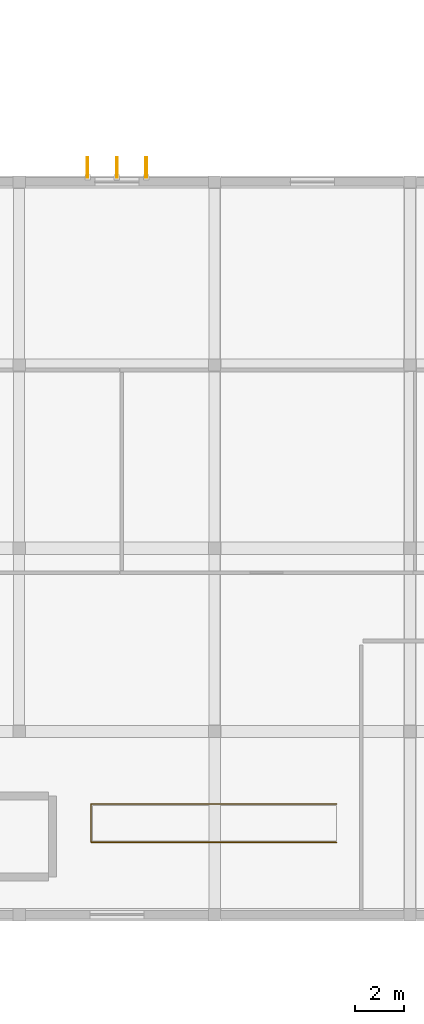
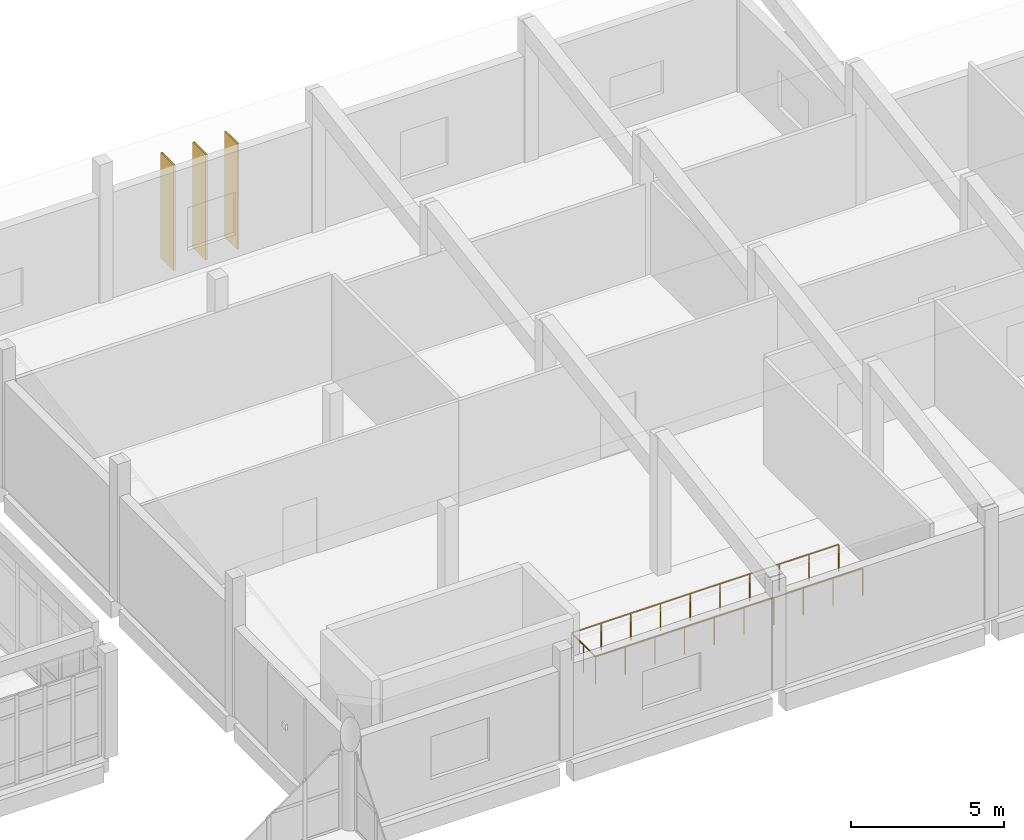
# One storey, part 162 of 164: 3 shading devices, 1 railing.
"""IFC4 building model written with IfcOpenShell, lengths in metres."""

from ifc_helpers import new_model, si_unit, direction, frame, origin, origin_2d, place, context, subcontext, project, spatial, hollow_rectangle, circle, extrude, material, material_profile, profile_set, type_object, element, save


model = new_model("IFC4")

# Units and contexts
model_context = context("Model", 3, precision=1e-05, world=origin(), true_north=direction((0.0, 1.0)))
body_context = subcontext(model_context, "Body", "Model", "MODEL_VIEW")
ifc_project = project(units=[si_unit("LENGTHUNIT", "METRE"), si_unit("AREAUNIT", "SQUARE_METRE"), si_unit("VOLUMEUNIT", "CUBIC_METRE"), si_unit("PLANEANGLEUNIT", "RADIAN"), si_unit("MASSUNIT", "GRAM", prefix="KILO")], contexts=[model_context])

# Site, building, storey
site_placement = place(None, origin())
site = spatial("IfcSite", under=ifc_project, at=site_placement, CompositionType="ELEMENT")
building_placement = place(site_placement, origin())
building = spatial("IfcBuilding", under=site, at=building_placement, Name="Mawjan Specialist Oncology Clinic", CompositionType="ELEMENT")
storey_placement = place(building_placement, frame((0.0, 0.0, 5.0)))
storey = spatial("IfcBuildingStorey", under=building, at=storey_placement, Name="L01", CompositionType="ELEMENT", Elevation=5.0)

# Railing
ifc_material_1 = material(Name="Powder-coated steel stair guard with vertical infill pickets", Category="steel")
railing_type = type_object("IfcRailingType", Name="GR-110", PredefinedType="GUARDRAIL", material=ifc_material_1)
railing_placement = place(storey_placement, frame((129.0, 80.3349609375, 0.0)))
element("IfcRailing", 1, at=railing_placement, inside=storey, type_object=railing_type, Name="ST-12 Well Perimeter Guard 1", PredefinedType="GUARDRAIL", context=body_context, shape_type="SweptSolid", body=[
    extrude(circle(Radius=0.02392578125, at=origin_2d()), frame((0.0, 0.0, 1.076171875), z_axis=(-1.0, 0.0, 0.0), x_axis=(0.0, -1.0, 0.0)), (0.0, 0.0, 1.0), 10.06005859375),
    extrude(circle(Radius=0.02392578125, at=origin_2d()), frame((-10.06005859375, 0.0, 1.076171875), z_axis=(0.0, -1.0, 0.0), x_axis=(1.0, 0.0, 0.0)), (0.0, 0.0, 1.0), 1.570068359375),
    extrude(circle(Radius=0.02392578125, at=origin_2d()), frame((-10.06005859375, -1.570068359375, 1.076171875), z_axis=(1.0, 0.0, 0.0), x_axis=(0.0, 1.0, 0.0)), (0.0, 0.0, 1.0), 10.06005859375),
    extrude(circle(Radius=0.02099609375, at=origin_2d()), origin(), (0.0, 0.0, 1.0), 1.052001953125),
    extrude(circle(Radius=0.02099609375, at=origin_2d()), frame((-1.11767578125, 0.0, 0.0)), (0.0, 0.0, 1.0), 1.052001953125),
    extrude(circle(Radius=0.02099609375, at=origin_2d()), frame((-2.235595703125, 0.0, 0.0)), (0.0, 0.0, 1.0), 1.052001953125),
    extrude(circle(Radius=0.02099609375, at=origin_2d()), frame((-3.353271484375, 0.0, 0.0)), (0.0, 0.0, 1.0), 1.052001953125),
    extrude(circle(Radius=0.02099609375, at=origin_2d()), frame((-4.47119140625, 0.0, 0.0)), (0.0, 0.0, 1.0), 1.052001953125),
    extrude(circle(Radius=0.02099609375, at=origin_2d()), frame((-5.5888671875, 0.0, 0.0)), (0.0, 0.0, 1.0), 1.052001953125),
    extrude(circle(Radius=0.02099609375, at=origin_2d()), frame((-6.706787109375, 0.0, 0.0)), (0.0, 0.0, 1.0), 1.052001953125),
    extrude(circle(Radius=0.02099609375, at=origin_2d()), frame((-7.824462890625, 0.0, 0.0)), (0.0, 0.0, 1.0), 1.052001953125),
    extrude(circle(Radius=0.02099609375, at=origin_2d()), frame((-8.9423828125, 0.0, 0.0)), (0.0, 0.0, 1.0), 1.052001953125),
    extrude(circle(Radius=0.02099609375, at=origin_2d()), frame((-10.06005859375, 0.0, 0.0)), (0.0, 0.0, 1.0), 1.052001953125),
    extrude(circle(Radius=0.02099609375, at=origin_2d()), frame((-10.06005859375, -0.78515625, 0.0)), (0.0, 0.0, 1.0), 1.052001953125),
    extrude(circle(Radius=0.02099609375, at=origin_2d()), frame((-10.06005859375, -1.570068359375, 0.0)), (0.0, 0.0, 1.0), 1.052001953125),
    extrude(circle(Radius=0.02099609375, at=origin_2d()), frame((-8.9423828125, -1.570068359375, 0.0)), (0.0, 0.0, 1.0), 1.052001953125),
    extrude(circle(Radius=0.02099609375, at=origin_2d()), frame((-7.824462890625, -1.570068359375, 0.0)), (0.0, 0.0, 1.0), 1.052001953125),
    extrude(circle(Radius=0.02099609375, at=origin_2d()), frame((-6.706787109375, -1.570068359375, 0.0)), (0.0, 0.0, 1.0), 1.052001953125),
    extrude(circle(Radius=0.02099609375, at=origin_2d()), frame((-5.5888671875, -1.570068359375, 0.0)), (0.0, 0.0, 1.0), 1.052001953125),
    extrude(circle(Radius=0.02099609375, at=origin_2d()), frame((-4.47119140625, -1.570068359375, 0.0)), (0.0, 0.0, 1.0), 1.052001953125),
    extrude(circle(Radius=0.02099609375, at=origin_2d()), frame((-3.353271484375, -1.570068359375, 0.0)), (0.0, 0.0, 1.0), 1.052001953125),
    extrude(circle(Radius=0.02099609375, at=origin_2d()), frame((-2.235595703125, -1.570068359375, 0.0)), (0.0, 0.0, 1.0), 1.052001953125),
    extrude(circle(Radius=0.02099609375, at=origin_2d()), frame((-1.11767578125, -1.570068359375, 0.0)), (0.0, 0.0, 1.0), 1.052001953125),
    extrude(circle(Radius=0.02099609375, at=origin_2d()), frame((0.0, -1.570068359375, 0.0)), (0.0, 0.0, 1.0), 1.052001953125),
])

# Shading devices
ifc_material_2 = material(Name="Bronze-anodised aluminium 6063-T6", Category="aluminium")
ifc_material_profile = material_profile(ifc_material_2, hollow_rectangle(XDim=0.070068359375, YDim=0.85009765625, WallThickness=0.0048828125, at=origin_2d()), Name="FIN 850x70x5", Category="aluminium")
ifc_profile_set = profile_set([ifc_material_profile], Name="Bronze-anodised aluminium 6063-T6")
shading_device_type = type_object("IfcShadingDeviceType", Name="SF-850", PredefinedType="USERDEFINED", material=ifc_profile_set)
for number, where, z_axis, x_axis, name in (
    (2, (118.800048828125, 106.389892578125, 0.0), (0.0, 0.0, 1.0), (1.0, 0.0, 0.0), "L01 Vertical Solar Fin SF-0004"),
    (3, (120.0, 106.389892578125, 0.0), (0.0, 0.0, 1.0), (1.0, 0.0, 0.0), "L01 Vertical Solar Fin SF-0005"),
    (4, (121.199951171875, 106.389892578125, 0.0), (0.0, 0.0, 1.0), (1.0, 0.0, 0.0), "L01 Vertical Solar Fin SF-0006"),
):
    element("IfcShadingDevice", number, at=place(storey_placement, frame(where, z_axis=z_axis, x_axis=x_axis)), inside=storey, type_object=shading_device_type, Name=name, ObjectType="SOLAR FIN", PredefinedType="USERDEFINED", context=body_context, shape_type="SweptSolid", body=[
        extrude(hollow_rectangle(XDim=0.070068359375, YDim=0.85009765625, WallThickness=0.0048828125, at=origin_2d()), origin(), (0.0, 0.0, 1.0), 4.199951171875),
    ])

save(model, "model.ifc")
